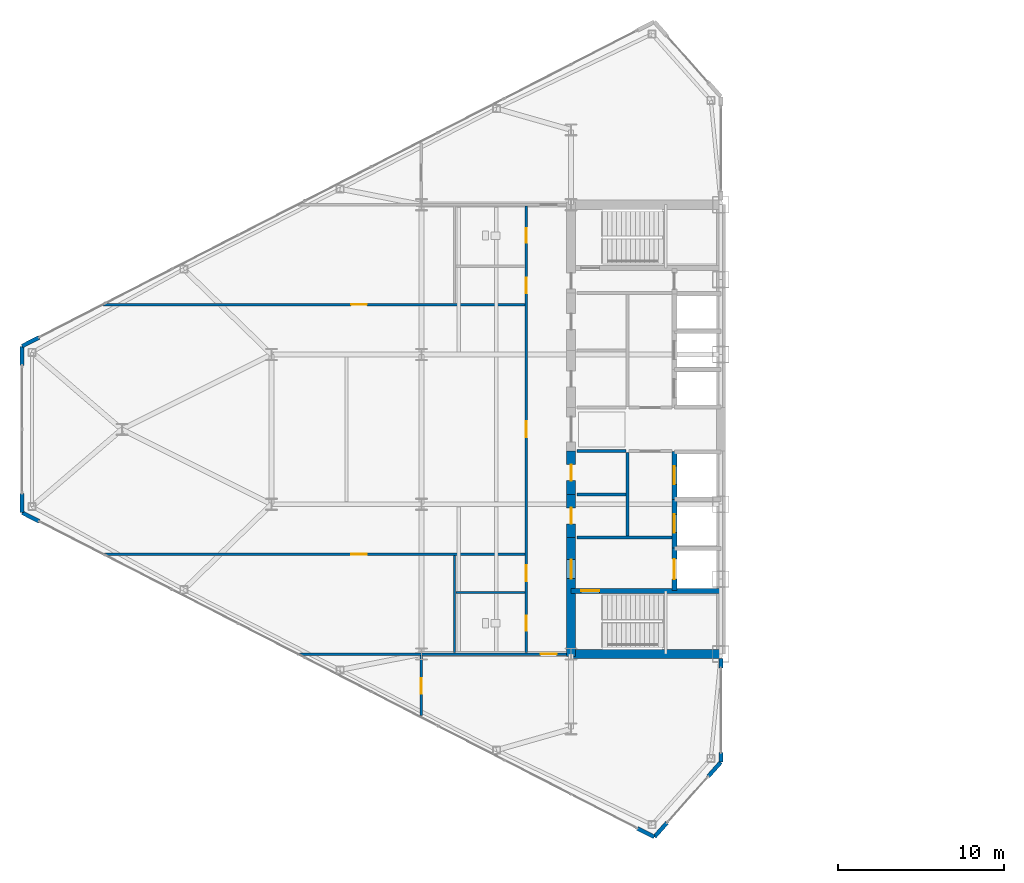
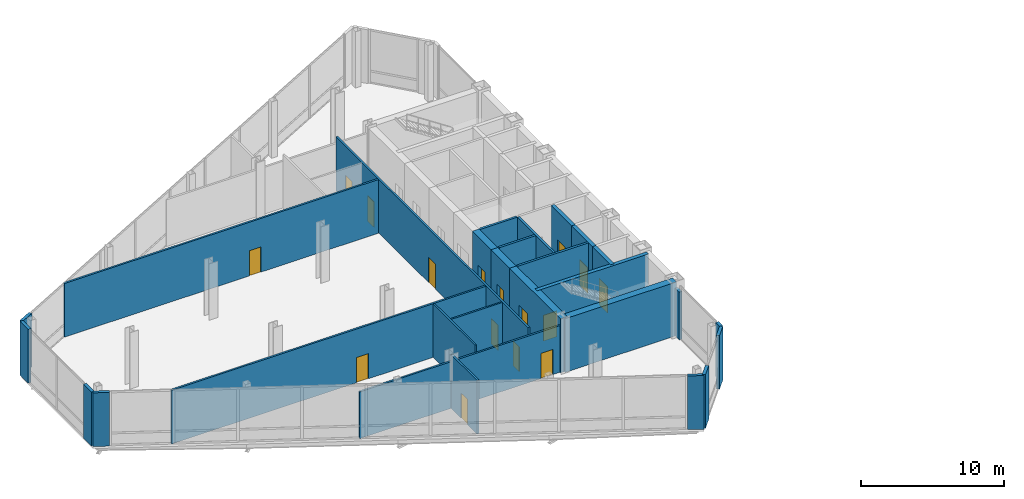
# One storey, part 16 of 22: 28 walls, 16 doors, 16 openings.
"""IFC4 building model written with IfcOpenShell, lengths in metres."""

from ifc_helpers import new_model, si_unit, direction, frame, frame_2d, origin, place, context, subcontext, project, spatial, rectangle, extrude, source, transform, mapped, material, layer, layer_set, type_object, type_shapes, element, fill, save


model = new_model("IFC4")

# Units and contexts
model_context = context("Model", 3, precision=1e-05, world=origin(), true_north=direction((0.0, 1.0)))
body_context = subcontext(model_context, "Body", "Model", "MODEL_VIEW")
ifc_project = project(units=[si_unit("LENGTHUNIT", "METRE"), si_unit("AREAUNIT", "SQUARE_METRE"), si_unit("VOLUMEUNIT", "CUBIC_METRE"), si_unit("PLANEANGLEUNIT", "RADIAN"), si_unit("MASSUNIT", "GRAM", prefix="KILO")], contexts=[model_context])

# Site, building, storey
site_placement = place(None, origin())
site = spatial("IfcSite", under=ifc_project, at=site_placement, CompositionType="ELEMENT")
building_placement = place(site_placement, origin())
building = spatial("IfcBuilding", under=site, at=building_placement, Name="Seokmaru Belvedere", CompositionType="ELEMENT")
storey_placement = place(building_placement, frame((0.0, 0.0, 135.60009765625)))
storey = spatial("IfcBuildingStorey", under=building, at=storey_placement, Name="L36", CompositionType="ELEMENT", Elevation=135.60009765625)

# Wall, opening, door
ifc_material_1 = material(Name="Fire-Rated Gypsum Shaftwall")
ifc_layer_1 = layer(ifc_material_1, 0.14990234375)
ifc_layer_set_1 = layer_set([ifc_layer_1], Name="Fire-Rated Gypsum Shaftwall")
wall_type_1 = type_object("IfcWallType", Name="Apartment Fire-Acoustic Room Partition 150", PredefinedType="PARTITIONING", material=ifc_layer_set_1)
wall_1_placement = place(storey_placement, frame((-52.947021484375, -13.5, 0.0), z_axis=(0.0, 0.0, 1.0), x_axis=(1.0, 0.0, 0.0)))
wall_1 = element("IfcWall", 1, at=wall_1_placement, inside=storey, type_object=wall_type_1, Name="L36 Interior Partition 001", PredefinedType="PARTITIONING", context=body_context, shape_type="SweptSolid", body=[
    extrude(rectangle(XDim=16.1669921875, YDim=0.14990234375, at=frame_2d((8.08349609375, 0.0))), origin(), (0.0, 0.0, 1.0), 3.97998046875),
])
opening_1_placement = place(wall_1_placement, frame((14.6220703125, 0.0, 0.0)))
opening_1 = element("IfcOpeningElement", 2, at=opening_1_placement, cuts=wall_1, Name="Opening D05", PredefinedType="OPENING", context=body_context, shape_type="SweptSolid", body=[
    extrude(rectangle(XDim=0.949951171875, YDim=2.14990234375, at=frame_2d((0.47509765625, 1.074951171875))), frame((0.0, 0.0849609375, 0.0), z_axis=(0.0, -1.0, 0.0), x_axis=(1.0, 0.0, 0.0)), (0.0, 0.0, 1.0), 0.169921875),
])
ifc_material_2 = material(Name="Engineered White Oak Timber", Category="wood")
door_type_1 = type_object("IfcDoorType", Name="Apartment Interior Fire-Rated Oak Door 950x2150", OperationType="NOTDEFINED", PredefinedType="DOOR", material=ifc_material_2)
shared_shape_1 = source(origin(), body_context, "Body", "SweptSolid", [
    extrude(rectangle(XDim=0.949951171875, YDim=2.14990234375, at=frame_2d((0.47509765625, 1.074951171875))), frame((0.0, 0.02490234375, 0.0), z_axis=(0.0, -1.0, 0.0), x_axis=(1.0, 0.0, 0.0)), (0.0, 0.0, 1.0), 0.050048828125),
])
type_shapes(door_type_1, [shared_shape_1])
door_1_placement = place(opening_1_placement, origin())
door_1 = element("IfcDoor", 3, at=door_1_placement, inside=storey, type_object=door_type_1, Name="L36 Interior Door 002", OperationType="SINGLE_SWING_RIGHT", OverallHeight=2.14990234375, OverallWidth=0.949951171875, PredefinedType="DOOR", context=body_context, shape_type="MappedRepresentation", body=[
    mapped(shared_shape_1, transform((0.0, 0.0, 0.0), scale=1.0)),
])
fill(opening_1, door_1)

wall_2_placement = place(storey_placement, frame((-64.638916015625, -7.5, 0.0), z_axis=(0.0, 0.0, 1.0), x_axis=(1.0, 0.0, 0.0)))
wall_2 = element("IfcWall", 4, at=wall_2_placement, inside=storey, type_object=wall_type_1, Name="L36 Interior Partition 005", PredefinedType="PARTITIONING", context=body_context, shape_type="SweptSolid", body=[
    extrude(rectangle(XDim=25.35400390625, YDim=0.14990234375, at=frame_2d((12.677001953125, 0.0))), origin(), (0.0, 0.0, 1.0), 4.579833984375),
])
opening_2_placement = place(wall_2_placement, frame((14.9140625, 0.0, 0.0)))
opening_2 = element("IfcOpeningElement", 5, at=opening_2_placement, cuts=wall_2, Name="Opening D05", PredefinedType="OPENING", context=body_context, shape_type="SweptSolid", body=[
    extrude(rectangle(XDim=0.949951171875, YDim=2.14990234375, at=frame_2d((0.47509765625, 1.074951171875))), frame((0.0, 0.0849609375, 0.0), z_axis=(0.0, -1.0, 0.0), x_axis=(1.0, 0.0, 0.0)), (0.0, 0.0, 1.0), 0.169921875),
])
door_2_placement = place(opening_2_placement, origin())
door_2 = element("IfcDoor", 6, at=door_2_placement, inside=storey, type_object=door_type_1, Name="L36 Interior Door 010", OperationType="SINGLE_SWING_LEFT", OverallHeight=2.14990234375, OverallWidth=0.949951171875, PredefinedType="DOOR", context=body_context, shape_type="MappedRepresentation", body=[
    mapped(shared_shape_1, transform((0.0, 0.0, 0.0), scale=1.0)),
])
fill(opening_2, door_2)

wall_3_placement = place(storey_placement, frame((-64.638916015625, 7.5, 0.0), z_axis=(0.0, 0.0, 1.0), x_axis=(1.0, 0.0, 0.0)))
wall_3 = element("IfcWall", 7, at=wall_3_placement, inside=storey, type_object=wall_type_1, Name="L36 Interior Partition 007", PredefinedType="PARTITIONING", context=body_context, shape_type="SweptSolid", body=[
    extrude(rectangle(XDim=25.35400390625, YDim=0.14990234375, at=frame_2d((12.677001953125, 0.0))), origin(), (0.0, 0.0, 1.0), 4.579833984375),
])
opening_3_placement = place(wall_3_placement, frame((14.9140625, 0.0, 0.0)))
opening_3 = element("IfcOpeningElement", 8, at=opening_3_placement, cuts=wall_3, Name="Opening D05", PredefinedType="OPENING", context=body_context, shape_type="SweptSolid", body=[
    extrude(rectangle(XDim=0.949951171875, YDim=2.14990234375, at=frame_2d((0.47509765625, 1.074951171875))), frame((0.0, 0.0849609375, 0.0), z_axis=(0.0, -1.0, 0.0), x_axis=(1.0, 0.0, 0.0)), (0.0, 0.0, 1.0), 0.169921875),
])
door_3_placement = place(opening_3_placement, origin())
door_3 = element("IfcDoor", 9, at=door_3_placement, inside=storey, type_object=door_type_1, Name="L36 Interior Door 011", OperationType="SINGLE_SWING_RIGHT", OverallHeight=2.14990234375, OverallWidth=0.949951171875, PredefinedType="DOOR", context=body_context, shape_type="MappedRepresentation", body=[
    mapped(shared_shape_1, transform((0.0, 0.0, 0.0), scale=1.0)),
])
fill(opening_3, door_3)

wall_4_placement = place(storey_placement, frame((-45.5, -17.196044921875, 0.0), z_axis=(0.0, 0.0, 1.0), x_axis=(0.0, 1.0, 0.0)))
wall_4 = element("IfcWall", 10, at=wall_4_placement, inside=storey, type_object=wall_type_1, Name="L36 Interior Partition 013", PredefinedType="PARTITIONING", context=body_context, shape_type="SweptSolid", body=[
    extrude(rectangle(XDim=3.611083984375, YDim=0.14990234375, at=frame_2d((1.8056640625, 0.0))), origin(), (0.0, 0.0, 1.0), 4.579833984375),
])
opening_4_placement = place(wall_4_placement, frame((1.298095703125, 0.0, 0.0)))
opening_4 = element("IfcOpeningElement", 11, at=opening_4_placement, cuts=wall_4, Name="Opening D05", PredefinedType="OPENING", context=body_context, shape_type="SweptSolid", body=[
    extrude(rectangle(XDim=0.949951171875, YDim=2.14990234375, at=frame_2d((0.47509765625, 1.074951171875))), frame((0.0, 0.0849609375, 0.0), z_axis=(0.0, -1.0, 0.0), x_axis=(1.0, 0.0, 0.0)), (0.0, 0.0, 1.0), 0.169921875),
])
door_4_placement = place(opening_4_placement, origin())
door_4 = element("IfcDoor", 12, at=door_4_placement, inside=storey, type_object=door_type_1, Name="L36 Interior Door 004", OperationType="SINGLE_SWING_LEFT", OverallHeight=2.14990234375, OverallWidth=0.949951171875, PredefinedType="DOOR", context=body_context, shape_type="MappedRepresentation", body=[
    mapped(shared_shape_1, transform((0.0, 0.0, 0.0), scale=1.0)),
])
fill(opening_4, door_4)

# Wall, openings, doors
wall_5_placement = place(storey_placement, frame((-39.199951171875, -13.4150390625, 0.0), z_axis=(0.0, 0.0, 1.0), x_axis=(0.0, 1.0, 0.0)))
wall_5 = element("IfcWall", 13, at=wall_5_placement, inside=storey, type_object=wall_type_1, Name="L36 Interior Partition 017", PredefinedType="PARTITIONING", context=body_context, shape_type="SweptSolid", body=[
    extrude(rectangle(XDim=26.830078125, YDim=0.14990234375, at=frame_2d((13.4150390625, 0.0))), origin(), (0.0, 0.0, 1.0), 4.579833984375),
])
opening_5_placement = place(wall_5_placement, frame((12.93994140625, 0.0, 0.0)))
opening_5 = element("IfcOpeningElement", 14, at=opening_5_placement, cuts=wall_5, Name="Opening D05", PredefinedType="OPENING", context=body_context, shape_type="SweptSolid", body=[
    extrude(rectangle(XDim=0.949951171875, YDim=2.14990234375, at=frame_2d((0.47509765625, 1.074951171875))), frame((0.0, 0.0849609375, 0.0), z_axis=(0.0, -1.0, 0.0), x_axis=(1.0, 0.0, 0.0)), (0.0, 0.0, 1.0), 0.169921875),
])
opening_6_placement = place(wall_5_placement, frame((1.324951171875, 0.0, 0.0)))
opening_6 = element("IfcOpeningElement", 15, at=opening_6_placement, cuts=wall_5, Name="Opening D06", PredefinedType="OPENING", context=body_context, shape_type="SweptSolid", body=[
    extrude(rectangle(XDim=0.8798828125, YDim=2.10009765625, at=frame_2d((0.43994140625, 1.050048828125))), frame((0.0, 0.0849609375, 0.0), z_axis=(0.0, -1.0, 0.0), x_axis=(1.0, 0.0, 0.0)), (0.0, 0.0, 1.0), 0.169921875),
])
opening_7_placement = place(wall_5_placement, frame((4.2900390625, 0.0, 0.0)))
opening_7 = element("IfcOpeningElement", 16, at=opening_7_placement, cuts=wall_5, Name="Opening D05", PredefinedType="OPENING", context=body_context, shape_type="SweptSolid", body=[
    extrude(rectangle(XDim=0.949951171875, YDim=2.14990234375, at=frame_2d((0.47509765625, 1.074951171875))), frame((0.0, 0.0849609375, 0.0), z_axis=(0.0, -1.0, 0.0), x_axis=(1.0, 0.0, 0.0)), (0.0, 0.0, 1.0), 0.169921875),
])
opening_8_placement = place(wall_5_placement, frame((21.590087890625, 0.0, 0.0)))
opening_8 = element("IfcOpeningElement", 17, at=opening_8_placement, cuts=wall_5, Name="Opening D05", PredefinedType="OPENING", context=body_context, shape_type="SweptSolid", body=[
    extrude(rectangle(XDim=0.949951171875, YDim=2.14990234375, at=frame_2d((0.47509765625, 1.074951171875))), frame((0.0, 0.0849609375, 0.0), z_axis=(0.0, -1.0, 0.0), x_axis=(1.0, 0.0, 0.0)), (0.0, 0.0, 1.0), 0.169921875),
])
opening_9_placement = place(wall_5_placement, frame((24.625, 0.0, 0.0)))
opening_9 = element("IfcOpeningElement", 18, at=opening_9_placement, cuts=wall_5, Name="Opening D06", PredefinedType="OPENING", context=body_context, shape_type="SweptSolid", body=[
    extrude(rectangle(XDim=0.8798828125, YDim=2.10009765625, at=frame_2d((0.43994140625, 1.050048828125))), frame((0.0, 0.0849609375, 0.0), z_axis=(0.0, -1.0, 0.0), x_axis=(1.0, 0.0, 0.0)), (0.0, 0.0, 1.0), 0.169921875),
])
door_type_2 = type_object("IfcDoorType", Name="Bathroom and Restroom Fire-Rated Door 880x2100", OperationType="NOTDEFINED", PredefinedType="DOOR", material=ifc_material_2)
shared_shape_2 = source(origin(), body_context, "Body", "SweptSolid", [
    extrude(rectangle(XDim=0.8798828125, YDim=2.10009765625, at=frame_2d((0.43994140625, 1.050048828125))), frame((0.0, 0.02490234375, 0.0), z_axis=(0.0, -1.0, 0.0), x_axis=(1.0, 0.0, 0.0)), (0.0, 0.0, 1.0), 0.050048828125),
])
type_shapes(door_type_2, [shared_shape_2])
door_5_placement = place(opening_6_placement, origin())
door_5 = element("IfcDoor", 19, at=door_5_placement, inside=storey, type_object=door_type_2, Name="L36 Interior Door 006", OperationType="SINGLE_SWING_LEFT", OverallHeight=2.10009765625, OverallWidth=0.8798828125, PredefinedType="DOOR", context=body_context, shape_type="MappedRepresentation", body=[
    mapped(shared_shape_2, transform((0.0, 0.0, 0.0), scale=1.0)),
])
fill(opening_6, door_5)
door_6_placement = place(opening_9_placement, origin())
door_6 = element("IfcDoor", 20, at=door_6_placement, inside=storey, type_object=door_type_2, Name="L36 Interior Door 009", OperationType="SINGLE_SWING_RIGHT", OverallHeight=2.10009765625, OverallWidth=0.8798828125, PredefinedType="DOOR", context=body_context, shape_type="MappedRepresentation", body=[
    mapped(shared_shape_2, transform((0.0, 0.0, 0.0), scale=1.0)),
])
fill(opening_9, door_6)
door_7_placement = place(opening_5_placement, origin())
door_7 = element("IfcDoor", 21, at=door_7_placement, inside=storey, type_object=door_type_1, Name="L36 Interior Door 001", OperationType="SINGLE_SWING_LEFT", OverallHeight=2.14990234375, OverallWidth=0.949951171875, PredefinedType="DOOR", context=body_context, shape_type="MappedRepresentation", body=[
    mapped(shared_shape_1, transform((0.0, 0.0, 0.0), scale=1.0)),
])
fill(opening_5, door_7)
door_8_placement = place(opening_7_placement, origin())
door_8 = element("IfcDoor", 22, at=door_8_placement, inside=storey, type_object=door_type_1, Name="L36 Interior Door 007", OperationType="SINGLE_SWING_RIGHT", OverallHeight=2.14990234375, OverallWidth=0.949951171875, PredefinedType="DOOR", context=body_context, shape_type="MappedRepresentation", body=[
    mapped(shared_shape_1, transform((0.0, 0.0, 0.0), scale=1.0)),
])
fill(opening_7, door_8)
door_9_placement = place(opening_8_placement, origin())
door_9 = element("IfcDoor", 23, at=door_9_placement, inside=storey, type_object=door_type_1, Name="L36 Interior Door 008", OperationType="SINGLE_SWING_LEFT", OverallHeight=2.14990234375, OverallWidth=0.949951171875, PredefinedType="DOOR", context=body_context, shape_type="MappedRepresentation", body=[
    mapped(shared_shape_1, transform((0.0, 0.0, 0.0), scale=1.0)),
])
fill(opening_8, door_9)

# Walls
ifc_layer_2 = layer(ifc_material_1, 0.179931640625)
ifc_layer_set_2 = layer_set([ifc_layer_2], Name="Fire-Rated Gypsum Shaftwall")
wall_type_2 = type_object("IfcWallType", Name="Core Service Fire Partition 180", PredefinedType="PARTITIONING", material=ifc_layer_set_2)
wall_6_placement = place(storey_placement, frame((-36.14990234375, -6.5, 0.0), z_axis=(0.0, 0.0, 1.0), x_axis=(1.0, 0.0, 0.0)))
element("IfcWall", 24, at=wall_6_placement, inside=storey, type_object=wall_type_2, Name="L36 West Firefighting Lobby Partition", PredefinedType="PARTITIONING", context=body_context, shape_type="SweptSolid", body=[
    extrude(rectangle(XDim=5.699951171875, YDim=0.179931640625, at=frame_2d((2.85009765625, 0.0))), origin(), (0.0, 0.0, 1.0), 4.579833984375),
])
wall_7_placement = place(storey_placement, frame((-33.10009765625, -6.419921875, 0.0), z_axis=(0.0, 0.0, 1.0), x_axis=(0.0, 1.0, 0.0)))
element("IfcWall", 25, at=wall_7_placement, inside=storey, type_object=wall_type_2, Name="L36 West South Core Service Back Wall", PredefinedType="PARTITIONING", context=body_context, shape_type="SweptSolid", body=[
    extrude(rectangle(XDim=5.0400390625, YDim=0.179931640625, at=frame_2d((2.52001953125, 0.0))), origin(), (0.0, 0.0, 1.0), 4.579833984375),
])
for number, where, z_axis, x_axis, name in (
    (26, (-36.14990234375, -1.300048828125, 0.0), (0.0, 0.0, 1.0), (1.0, 0.0, 0.0), "L36 West Foyer Side Wall S"),
    (27, (-36.14990234375, -3.89990234375, 0.0), (0.0, 0.0, 1.0), (1.0, 0.0, 0.0), "L36 West Core Service Partition 1"),
):
    element("IfcWall", number, at=place(storey_placement, frame(where, z_axis=z_axis, x_axis=x_axis)), inside=storey, type_object=wall_type_2, Name=name, PredefinedType="PARTITIONING", context=body_context, shape_type="SweptSolid", body=[
        extrude(rectangle(XDim=2.949951171875, YDim=0.179931640625, at=frame_2d((1.47509765625, 0.0))), origin(), (0.0, 0.0, 1.0), 4.579833984375),
    ])

# Wall, opening, door
ifc_material_3 = material(Name="Concrete C50 (50 MPa)", Category="concrete")
ifc_layer_3 = layer(ifc_material_3, 0.300048828125)
ifc_layer_set_3 = layer_set([ifc_layer_3], Name="Concrete C50 (50 MPa)")
wall_type_3 = type_object("IfcWallType", Name="Internal Core Stair and Hoistway Wall 300", PredefinedType="SHEAR", material=ifc_layer_set_3)
wall_8_placement = place(storey_placement, frame((-36.5, -9.699951171875, 0.0), z_axis=(0.0, 0.0, 1.0), x_axis=(1.0, 0.0, 0.0)))
wall_8 = element("IfcWall", 28, at=wall_8_placement, inside=storey, type_object=wall_type_3, Name="L36 West Stair ST-1 Enclosure Wall", PredefinedType="SHEAR", context=body_context, shape_type="SweptSolid", body=[
    extrude(rectangle(XDim=9.0, YDim=0.300048828125, at=frame_2d((4.5, 0.0))), origin(), (0.0, 0.0, 1.0), 4.579833984375),
])
opening_10_placement = place(wall_8_placement, frame((0.60009765625, 0.0, 0.0)))
opening_10 = element("IfcOpeningElement", 29, at=opening_10_placement, cuts=wall_8, Name="Opening D01", PredefinedType="OPENING", context=body_context, shape_type="SweptSolid", body=[
    extrude(rectangle(XDim=1.10009765625, YDim=2.199951171875, at=frame_2d((0.550048828125, 1.10009765625))), frame((0.0, 0.16015625, 0.0), z_axis=(0.0, -1.0, 0.0), x_axis=(1.0, 0.0, 0.0)), (0.0, 0.0, 1.0), 0.320068359375),
])
ifc_material_4 = material(Name="Fire-Rated Steel Leaf", Category="steel")
door_type_3 = type_object("IfcDoorType", Name="Special Escape Stair Smokeproof Fire Door 1100x2200", OperationType="NOTDEFINED", PredefinedType="DOOR", material=ifc_material_4)
shared_shape_3 = source(origin(), body_context, "Body", "SweptSolid", [
    extrude(rectangle(XDim=1.10009765625, YDim=2.199951171875, at=frame_2d((0.550048828125, 1.10009765625))), frame((0.0, 0.02490234375, 0.0), z_axis=(0.0, -1.0, 0.0), x_axis=(1.0, 0.0, 0.0)), (0.0, 0.0, 1.0), 0.050048828125),
])
type_shapes(door_type_3, [shared_shape_3])
door_10_placement = place(opening_10_placement, frame((1.10009765625, 0.0, 0.0), z_axis=(0.0, 0.0, 1.0), x_axis=(-1.0, 0.0, 0.0)))
door_10 = element("IfcDoor", 30, at=door_10_placement, inside=storey, type_object=door_type_3, Name="L36 West Special Escape Stair ST-1 Door", OperationType="SINGLE_SWING_LEFT", OverallHeight=2.199951171875, OverallWidth=1.10009765625, PredefinedType="DOOR", context=body_context, shape_type="MappedRepresentation", body=[
    mapped(shared_shape_3, transform((0.0, 0.0, 0.0), scale=1.0)),
])
fill(opening_10, door_10)

wall_9_placement = place(storey_placement, frame((-30.300048828125, -9.679931640625, 0.0), z_axis=(0.0, 0.0, 1.0), x_axis=(0.0, 1.0, 0.0)))
wall_9 = element("IfcWall", 31, at=wall_9_placement, inside=storey, type_object=wall_type_3, Name="L36 West Firefighting Lift Shaft Front Wall", PredefinedType="SHEAR", context=body_context, shape_type="SweptSolid", body=[
    extrude(rectangle(XDim=2.559814453125, YDim=0.300048828125, at=frame_2d((1.27978515625, 0.0))), origin(), (0.0, 0.0, 1.0), 4.579833984375),
])
opening_11_placement = place(wall_9_placement, frame((0.679931640625, 0.0, 0.0)))
opening_11 = element("IfcOpeningElement", 32, at=opening_11_placement, cuts=wall_9, Name="Opening LD2", PredefinedType="OPENING", context=body_context, shape_type="SweptSolid", body=[
    extrude(rectangle(XDim=1.199951171875, YDim=2.25, at=frame_2d((0.60009765625, 1.125))), frame((0.0, 0.16015625, 0.0), z_axis=(0.0, -1.0, 0.0), x_axis=(1.0, 0.0, 0.0)), (0.0, 0.0, 1.0), 0.320068359375),
])
ifc_material_5 = material(Name="Stainless Steel 316", Category="steel")
door_type_4 = type_object("IfcDoorType", Name="Firefighting Lift Sliding Landing Door 1200x2250", OperationType="DOUBLE_DOOR_SLIDING", PredefinedType="DOOR", material=ifc_material_5)
shared_shape_4 = source(origin(), body_context, "Body", "SweptSolid", [
    extrude(rectangle(XDim=1.199951171875, YDim=2.25, at=frame_2d((0.60009765625, 1.125))), frame((0.0, 0.02490234375, 0.0), z_axis=(0.0, -1.0, 0.0), x_axis=(1.0, 0.0, 0.0)), (0.0, 0.0, 1.0), 0.050048828125),
])
type_shapes(door_type_4, [shared_shape_4])
door_11_placement = place(opening_11_placement, origin())
door_11 = element("IfcDoor", 33, at=door_11_placement, inside=storey, type_object=door_type_4, Name="L36 West Firefighting Lift Landing Door", OperationType="DOUBLE_DOOR_SLIDING", OverallHeight=2.25, OverallWidth=1.199951171875, PredefinedType="DOOR", context=body_context, shape_type="MappedRepresentation", body=[
    mapped(shared_shape_4, transform((0.0, 0.0, 0.0), scale=1.0)),
])
fill(opening_11, door_11)

wall_10_placement = place(storey_placement, frame((-30.300048828125, -7.1201171875, 0.0), z_axis=(0.0, 0.0, 1.0), x_axis=(0.0, 1.0, 0.0)))
wall_10 = element("IfcWall", 34, at=wall_10_placement, inside=storey, type_object=wall_type_3, Name="L36 West Low-Rise Lift PL-1 Front Wall", PredefinedType="SHEAR", context=body_context, shape_type="SweptSolid", body=[
    extrude(rectangle(XDim=2.920166015625, YDim=0.300048828125, at=frame_2d((1.4599609375, 0.0))), origin(), (0.0, 0.0, 1.0), 4.579833984375),
])
opening_12_placement = place(wall_10_placement, frame((0.909912109375, 0.0, 0.0)))
opening_12 = element("IfcOpeningElement", 35, at=opening_12_placement, cuts=wall_10, Name="Opening LD1", PredefinedType="OPENING", context=body_context, shape_type="SweptSolid", body=[
    extrude(rectangle(XDim=1.10009765625, YDim=2.199951171875, at=frame_2d((0.550048828125, 1.10009765625))), frame((0.0, 0.16015625, 0.0), z_axis=(0.0, -1.0, 0.0), x_axis=(1.0, 0.0, 0.0)), (0.0, 0.0, 1.0), 0.320068359375),
])
door_type_5 = type_object("IfcDoorType", Name="Passenger Lift Sliding Landing Door 1100x2200", OperationType="DOUBLE_DOOR_SLIDING", PredefinedType="DOOR", material=ifc_material_5)
shared_shape_5 = source(origin(), body_context, "Body", "SweptSolid", [
    extrude(rectangle(XDim=1.10009765625, YDim=2.199951171875, at=frame_2d((0.550048828125, 1.10009765625))), frame((0.0, 0.02490234375, 0.0), z_axis=(0.0, -1.0, 0.0), x_axis=(1.0, 0.0, 0.0)), (0.0, 0.0, 1.0), 0.050048828125),
])
type_shapes(door_type_5, [shared_shape_5])
door_12_placement = place(opening_12_placement, origin())
door_12 = element("IfcDoor", 36, at=door_12_placement, inside=storey, type_object=door_type_5, Name="L36 West Low-Rise Lift PL-1 Landing Door", OperationType="DOUBLE_DOOR_SLIDING", OverallHeight=2.199951171875, OverallWidth=1.10009765625, PredefinedType="DOOR", context=body_context, shape_type="MappedRepresentation", body=[
    mapped(shared_shape_5, transform((0.0, 0.0, 0.0), scale=1.0)),
])
fill(opening_12, door_12)

wall_11_placement = place(storey_placement, frame((-30.300048828125, -4.199951171875, 0.0), z_axis=(0.0, 0.0, 1.0), x_axis=(0.0, 1.0, 0.0)))
wall_11 = element("IfcWall", 37, at=wall_11_placement, inside=storey, type_object=wall_type_3, Name="L36 West Low-Rise Lift PL-2 Front Wall", PredefinedType="SHEAR", context=body_context, shape_type="SweptSolid", body=[
    extrude(rectangle(XDim=2.8798828125, YDim=0.300048828125, at=frame_2d((1.43994140625, 0.0))), origin(), (0.0, 0.0, 1.0), 4.579833984375),
])
opening_13_placement = place(wall_11_placement, frame((0.889892578125, 0.0, 0.0)))
opening_13 = element("IfcOpeningElement", 38, at=opening_13_placement, cuts=wall_11, Name="Opening LD1", PredefinedType="OPENING", context=body_context, shape_type="SweptSolid", body=[
    extrude(rectangle(XDim=1.10009765625, YDim=2.199951171875, at=frame_2d((0.550048828125, 1.10009765625))), frame((0.0, 0.16015625, 0.0), z_axis=(0.0, -1.0, 0.0), x_axis=(1.0, 0.0, 0.0)), (0.0, 0.0, 1.0), 0.320068359375),
])
door_13_placement = place(opening_13_placement, origin())
door_13 = element("IfcDoor", 39, at=door_13_placement, inside=storey, type_object=door_type_5, Name="L36 West Low-Rise Lift PL-2 Landing Door", OperationType="DOUBLE_DOOR_SLIDING", OverallHeight=2.199951171875, OverallWidth=1.10009765625, PredefinedType="DOOR", context=body_context, shape_type="MappedRepresentation", body=[
    mapped(shared_shape_5, transform((0.0, 0.0, 0.0), scale=1.0)),
])
fill(opening_13, door_13)

# Wall
ifc_layer_4 = layer(ifc_material_3, 0.550048828125)
ifc_layer_set_4 = layer_set([ifc_layer_4], Name="Concrete C50 (50 MPa)")
wall_type_4 = type_object("IfcWallType", Name="Mid-High Reinforced Concrete Core Wall 550", PredefinedType="SHEAR", material=ifc_layer_set_4)
wall_12_placement = place(storey_placement, frame((-36.5, -13.5, 0.0), z_axis=(0.0, 0.0, 1.0), x_axis=(1.0, 0.0, 0.0)))
element("IfcWall", 40, at=wall_12_placement, inside=storey, type_object=wall_type_4, Name="L36 West South Core Wall", PredefinedType="SHEAR", context=body_context, shape_type="SweptSolid", body=[
    extrude(rectangle(XDim=9.0, YDim=0.550048828125, at=frame_2d((4.5, 0.0))), origin(), (0.0, 0.0, 1.0), 4.579833984375),
])

# Wall, opening, door
wall_13_placement = place(storey_placement, frame((-36.5, -13.64990234375, 0.0), z_axis=(0.0, 0.0, 1.0), x_axis=(0.0, 1.0, 0.0)))
wall_13 = element("IfcWall", 41, at=wall_13_placement, inside=storey, type_object=wall_type_4, Name="L36 West West Core Wall FF", PredefinedType="SHEAR", context=body_context, shape_type="SweptSolid", body=[
    extrude(rectangle(XDim=7.14990234375, YDim=0.550048828125, at=frame_2d((3.574951171875, 0.0))), origin(), (0.0, 0.0, 1.0), 4.579833984375),
])
opening_14_placement = place(wall_13_placement, frame((4.675048828125, 0.0, 0.0)))
opening_14 = element("IfcOpeningElement", 42, at=opening_14_placement, cuts=wall_13, Name="Opening D02", PredefinedType="OPENING", context=body_context, shape_type="SweptSolid", body=[
    extrude(rectangle(XDim=1.14990234375, YDim=2.199951171875, at=frame_2d((0.574951171875, 1.10009765625))), frame((0.0, 0.28515625, 0.0), z_axis=(0.0, -1.0, 0.0), x_axis=(1.0, 0.0, 0.0)), (0.0, 0.0, 1.0), 0.570068359375),
])
door_type_6 = type_object("IfcDoorType", Name="Lobby and Vestibule Fire Door 1150x2200", OperationType="NOTDEFINED", PredefinedType="DOOR", material=ifc_material_4)
shared_shape_6 = source(origin(), body_context, "Body", "SweptSolid", [
    extrude(rectangle(XDim=1.14990234375, YDim=2.199951171875, at=frame_2d((0.574951171875, 1.10009765625))), frame((0.0, 0.02490234375, 0.0), z_axis=(0.0, -1.0, 0.0), x_axis=(1.0, 0.0, 0.0)), (0.0, 0.0, 1.0), 0.050048828125),
])
type_shapes(door_type_6, [shared_shape_6])
door_14_placement = place(opening_14_placement, frame((1.14990234375, 0.0, 0.0), z_axis=(0.0, 0.0, 1.0), x_axis=(-1.0, 0.0, 0.0)))
door_14 = element("IfcDoor", 43, at=door_14_placement, inside=storey, type_object=door_type_6, Name="L36 West Firefighting Lobby Door", OperationType="SINGLE_SWING_LEFT", OverallHeight=2.199951171875, OverallWidth=1.14990234375, PredefinedType="DOOR", context=body_context, shape_type="MappedRepresentation", body=[
    mapped(shared_shape_6, transform((0.0, 0.0, 0.0), scale=1.0)),
])
fill(opening_14, door_14)

wall_14_placement = place(storey_placement, frame((-36.5, -6.5, 0.0), z_axis=(0.0, 0.0, 1.0), x_axis=(0.0, 1.0, 0.0)))
wall_14 = element("IfcWall", 44, at=wall_14_placement, inside=storey, type_object=wall_type_4, Name="L36 West West Core Wall CS1", PredefinedType="SHEAR", context=body_context, shape_type="SweptSolid", body=[
    extrude(rectangle(XDim=2.60009765625, YDim=0.550048828125, at=frame_2d((1.300048828125, 0.0))), origin(), (0.0, 0.0, 1.0), 4.579833984375),
])
opening_15_placement = place(wall_14_placement, frame((0.824951171875, 0.0, 0.0)))
opening_15 = element("IfcOpeningElement", 45, at=opening_15_placement, cuts=wall_14, Name="Opening D04", PredefinedType="OPENING", context=body_context, shape_type="SweptSolid", body=[
    extrude(rectangle(XDim=0.949951171875, YDim=2.14990234375, at=frame_2d((0.47509765625, 1.074951171875))), frame((0.0, 0.28515625, 0.0), z_axis=(0.0, -1.0, 0.0), x_axis=(1.0, 0.0, 0.0)), (0.0, 0.0, 1.0), 0.570068359375),
])
door_type_7 = type_object("IfcDoorType", Name="Core Service Room Fire Door 950x2150", OperationType="NOTDEFINED", PredefinedType="DOOR", material=ifc_material_4)
shared_shape_7 = source(origin(), body_context, "Body", "SweptSolid", [
    extrude(rectangle(XDim=0.949951171875, YDim=2.14990234375, at=frame_2d((0.47509765625, 1.074951171875))), frame((0.0, 0.02490234375, 0.0), z_axis=(0.0, -1.0, 0.0), x_axis=(1.0, 0.0, 0.0)), (0.0, 0.0, 1.0), 0.050048828125),
])
type_shapes(door_type_7, [shared_shape_7])
door_15_placement = place(opening_15_placement, origin())
door_15 = element("IfcDoor", 46, at=door_15_placement, inside=storey, type_object=door_type_7, Name="L36 West Core Service Room Door 1", OperationType="SINGLE_SWING_LEFT", OverallHeight=2.14990234375, OverallWidth=0.949951171875, PredefinedType="DOOR", context=body_context, shape_type="MappedRepresentation", body=[
    mapped(shared_shape_7, transform((0.0, 0.0, 0.0), scale=1.0)),
])
fill(opening_15, door_15)

wall_15_placement = place(storey_placement, frame((-36.5, -3.89990234375, 0.0), z_axis=(0.0, 0.0, 1.0), x_axis=(0.0, 1.0, 0.0)))
wall_15 = element("IfcWall", 47, at=wall_15_placement, inside=storey, type_object=wall_type_4, Name="L36 West West Core Wall CS2", PredefinedType="SHEAR", context=body_context, shape_type="SweptSolid", body=[
    extrude(rectangle(XDim=2.599853515625, YDim=0.550048828125, at=frame_2d((1.2998046875, 0.0))), origin(), (0.0, 0.0, 1.0), 4.579833984375),
])
opening_16_placement = place(wall_15_placement, frame((0.824951171875, 0.0, 0.0)))
opening_16 = element("IfcOpeningElement", 48, at=opening_16_placement, cuts=wall_15, Name="Opening D04", PredefinedType="OPENING", context=body_context, shape_type="SweptSolid", body=[
    extrude(rectangle(XDim=0.949951171875, YDim=2.14990234375, at=frame_2d((0.47509765625, 1.074951171875))), frame((0.0, 0.28515625, 0.0), z_axis=(0.0, -1.0, 0.0), x_axis=(1.0, 0.0, 0.0)), (0.0, 0.0, 1.0), 0.570068359375),
])
door_16_placement = place(opening_16_placement, origin())
door_16 = element("IfcDoor", 49, at=door_16_placement, inside=storey, type_object=door_type_7, Name="L36 West Core Service Room Door 2", OperationType="SINGLE_SWING_RIGHT", OverallHeight=2.14990234375, OverallWidth=0.949951171875, PredefinedType="DOOR", context=body_context, shape_type="MappedRepresentation", body=[
    mapped(shared_shape_7, transform((0.0, 0.0, 0.0), scale=1.0)),
])
fill(opening_16, door_16)

# Walls
ifc_layer_5 = layer(ifc_material_1, 0.1298828125)
ifc_layer_set_5 = layer_set([ifc_layer_5], Name="Fire-Rated Gypsum Shaftwall")
wall_type_5 = type_object("IfcWallType", Name="Moisture-Resistant Fire-Rated Bathroom Partition 130", PredefinedType="PARTITIONING", material=ifc_layer_set_5)
wall_16_placement = place(storey_placement, frame((-43.4150390625, -9.800048828125, 0.0), z_axis=(0.0, 0.0, 1.0), x_axis=(1.0, 0.0, 0.0)))
element("IfcWall", 50, at=wall_16_placement, inside=storey, type_object=wall_type_5, Name="L36 Interior Partition 003", PredefinedType="PARTITIONING", context=body_context, shape_type="SweptSolid", body=[
    extrude(rectangle(XDim=4.130126953125, YDim=0.1298828125, at=frame_2d((2.06494140625, 0.0))), origin(), (0.0, 0.0, 1.0), 4.579833984375),
])
wall_17_placement = place(storey_placement, frame((-43.5, -13.4150390625, 0.0), z_axis=(0.0, 0.0, 1.0), x_axis=(0.0, 1.0, 0.0)))
element("IfcWall", 51, at=wall_17_placement, inside=storey, type_object=wall_type_5, Name="L36 Interior Partition 015", PredefinedType="PARTITIONING", context=body_context, shape_type="SweptSolid", body=[
    extrude(rectangle(XDim=5.830078125, YDim=0.1298828125, at=frame_2d((2.9150390625, 0.0))), origin(), (0.0, 0.0, 1.0), 4.579833984375),
])
ifc_material_6 = material(Name="Anodised Bronze Aluminium", Category="aluminium")
ifc_layer_6 = layer(ifc_material_6, 0.239990234375)
ifc_layer_set_6 = layer_set([ifc_layer_6], Name="Anodised Bronze Aluminium")
wall_type_6 = type_object("IfcWallType", Name="Tower Corner Spandrel Closure Wall 240", PredefinedType="SOLIDWALL", material=ifc_layer_set_6)
wall_18_placement = place(storey_placement, frame((-27.5, -19.97998046875, 0.0), z_axis=(0.0, 0.0, 1.0), x_axis=(0.0, 1.0, 0.0)))
element("IfcWall", 52, at=wall_18_placement, inside=storey, type_object=wall_type_6, Name="L36 W Spine Closure Pier 1A", PredefinedType="SOLIDWALL", context=body_context, shape_type="SweptSolid", body=[
    extrude(rectangle(XDim=0.550048828125, YDim=0.239990234375, at=frame_2d((0.27490234375, 0.0))), origin(), (0.0, 0.0, 1.0), 4.579833984375),
])
wall_19_placement = place(storey_placement, frame((-27.5, -14.330078125, 0.0), z_axis=(0.0, 0.0, 1.0), x_axis=(0.0, 1.0, 0.0)))
element("IfcWall", 53, at=wall_19_placement, inside=storey, type_object=wall_type_6, Name="L36 W Spine Closure Pier 1B", PredefinedType="SOLIDWALL", context=body_context, shape_type="SweptSolid", body=[
    extrude(rectangle(XDim=0.550048828125, YDim=0.239990234375, at=frame_2d((0.27490234375, 0.0))), origin(), (0.0, 0.0, 1.0), 4.079833984375),
])
wall_20_placement = place(storey_placement, frame((-68.476806640625, 5.52490234375, 0.0), z_axis=(0.0, 0.0, 1.0), x_axis=(-0.889797395748, -0.456355776255, 0.0)))
element("IfcWall", 54, at=wall_20_placement, inside=storey, type_object=wall_type_6, Name="L36 W Corner Closure Pier 3B", PredefinedType="SOLIDWALL", context=body_context, shape_type="SweptSolid", body=[
    extrude(rectangle(XDim=1.14013671875, YDim=0.239990234375, at=frame_2d((0.570068359375, 0.0))), origin(), (0.0, 0.0, 1.0), 4.579833984375),
])
for number, where, z_axis, x_axis, name in (
    (55, (-69.5, 4.989990234375, 0.0), (0.0, 0.0, 1.0), (0.0, -1.0, 0.0), "L36 W Corner Closure Pier 4A"),
    (56, (-69.5, -3.85009765625, 0.0), (0.0, 0.0, 1.0), (0.0, -1.0, 0.0), "L36 W Corner Closure Pier 4B"),
):
    element("IfcWall", number, at=place(storey_placement, frame(where, z_axis=z_axis, x_axis=x_axis)), inside=storey, type_object=wall_type_6, Name=name, PredefinedType="SOLIDWALL", context=body_context, shape_type="SweptSolid", body=[
        extrude(rectangle(XDim=1.139892578125, YDim=0.239990234375, at=frame_2d((0.56982421875, 0.0))), origin(), (0.0, 0.0, 1.0), 4.579833984375),
    ])
for number, where, z_axis, x_axis, name in (
    (57, (-69.4912109375, -5.004638671875, 0.0), (0.0, 0.0, 1.0), (0.889797395748, -0.456355776255, 0.0), "L36 W Corner Closure Pier 5A"),
    (58, (-32.523193359375, -23.97509765625, 0.0), (0.0, 0.0, 1.0), (0.889797395748, -0.456355776255, 0.0), "L36 W Corner Closure Pier 5B"),
):
    element("IfcWall", number, at=place(storey_placement, frame(where, z_axis=z_axis, x_axis=x_axis)), inside=storey, type_object=wall_type_6, Name=name, PredefinedType="SOLIDWALL", context=body_context, shape_type="SweptSolid", body=[
        extrude(rectangle(XDim=1.14013671875, YDim=0.239990234375, at=frame_2d((0.570068359375, 0.0))), origin(), (0.0, 0.0, 1.0), 4.579833984375),
    ])
for number, where, z_axis, x_axis, name in (
    (59, (-31.493408203125, -24.492431640625, 0.0), (0.0, 0.0, 1.0), (0.664337252513, 0.747432950119, 0.0), "L36 W Corner Closure Pier 6A"),
    (60, (-28.263916015625, -20.859619140625, 0.0), (0.0, 0.0, 1.0), (0.664337252513, 0.747432950119, 0.0), "L36 W Corner Closure Pier 6B"),
):
    element("IfcWall", number, at=place(storey_placement, frame(where, z_axis=z_axis, x_axis=x_axis)), inside=storey, type_object=wall_type_6, Name=name, PredefinedType="SOLIDWALL", context=body_context, shape_type="SweptSolid", body=[
        extrude(rectangle(XDim=1.139892578125, YDim=0.239990234375, at=frame_2d((0.56982421875, 0.0))), origin(), (0.0, 0.0, 1.0), 4.579833984375),
    ])

save(model, "model.ifc")
